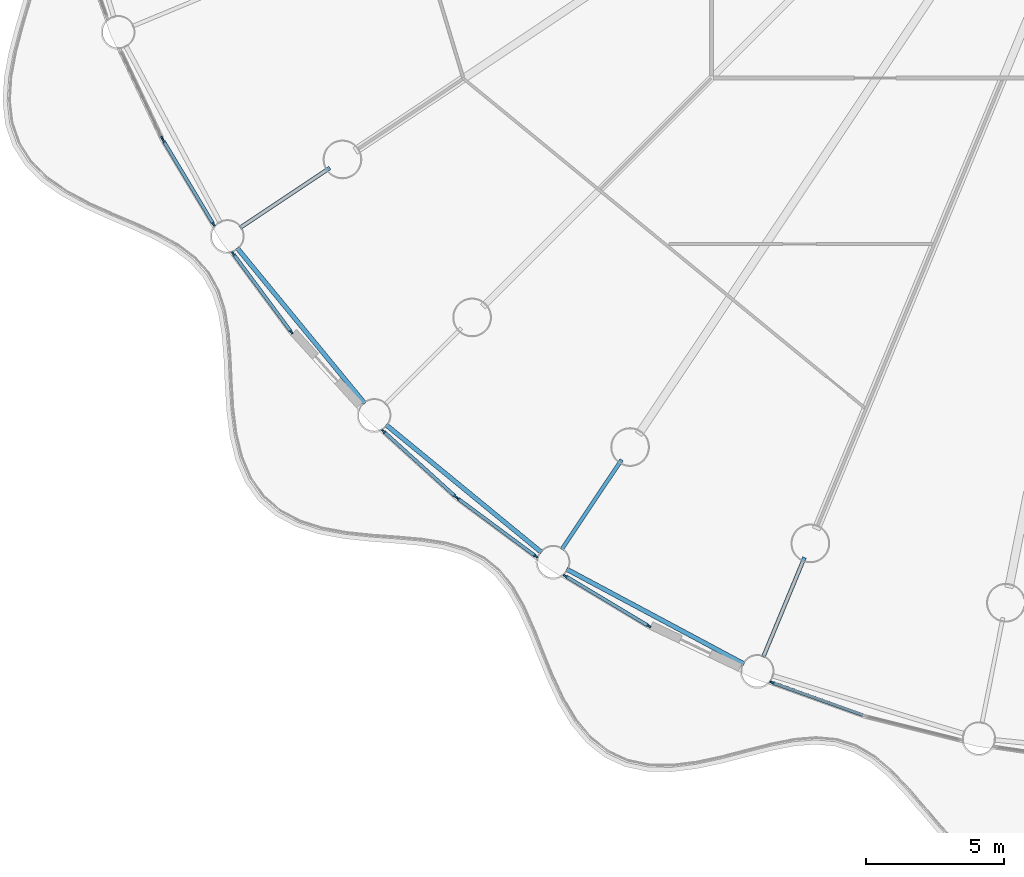
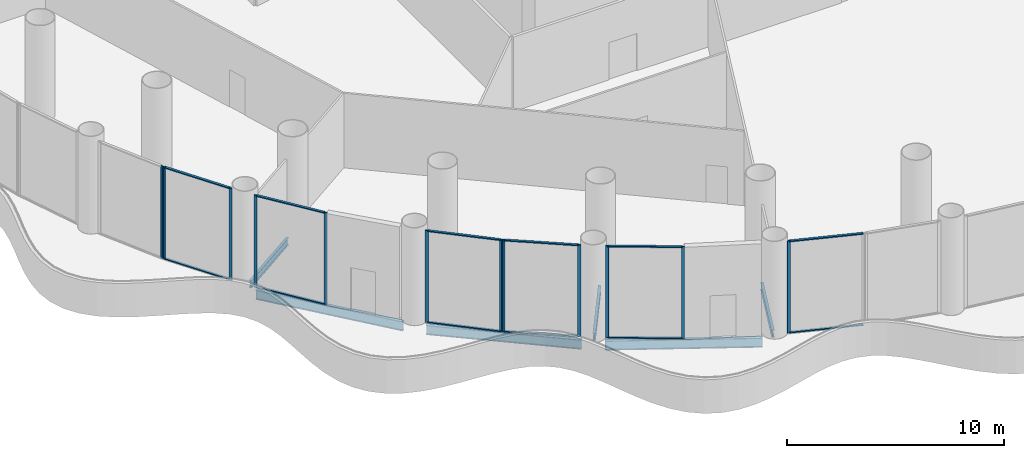
# One storey, part 2 of 37: 24 members, 6 beams, 7 elements without a shape of their own.
"""IFC4 building model written with IfcOpenShell, lengths in metres."""

from ifc_helpers import new_model, si_unit, direction, frame, origin, origin_2d, place, context, subcontext, project, spatial, rectangle, i_section, extrude, material, material_profile, profile_set, type_object, element, aggregate, save


model = new_model("IFC4")

# Units and contexts
model_context = context("Model", 3, precision=1e-05, world=origin(), true_north=direction((0.0, 1.0)))
body_context = subcontext(model_context, "Body", "Model", "MODEL_VIEW")
ifc_project = project(units=[si_unit("LENGTHUNIT", "METRE"), si_unit("AREAUNIT", "SQUARE_METRE"), si_unit("VOLUMEUNIT", "CUBIC_METRE"), si_unit("PLANEANGLEUNIT", "RADIAN"), si_unit("MASSUNIT", "GRAM", prefix="KILO")], contexts=[model_context])

# Site, building, storey
site_placement = place(None, origin())
site = spatial("IfcSite", under=ifc_project, at=site_placement, CompositionType="ELEMENT")
building_placement = place(site_placement, origin())
building = spatial("IfcBuilding", under=site, at=building_placement, Name="Corvane Civic Tower", CompositionType="ELEMENT")
storey_placement = place(building_placement, frame((0.0, 0.0, 11.5)))
storey = spatial("IfcBuildingStorey", under=building, at=storey_placement, Name="L02", CompositionType="ELEMENT", Elevation=11.5)

# Beams
ifc_material_1 = material(Name="Steel ASTM A992 Gr 50", Category="steel")
ifc_material_profile_1 = material_profile(ifc_material_1, i_section(OverallWidth=0.165771484375, OverallDepth=0.5283203125, WebThickness=0.009765625, FlangeThickness=0.013671875, at=origin_2d()), Name="W21X50")
ifc_profile_set_1 = profile_set([ifc_material_profile_1], Name="Steel ASTM A992 Gr 50")
beam_type_1 = type_object("IfcBeamType", Name="EDGE BEAM W21X50", PredefinedType="BEAM", material=ifc_profile_set_1)
for number, where, z_axis, x_axis, name in (
    (1, (-16.82568359375, -39.1904296875, -0.564208984375), (-0.881912894916, 0.471412394598, 0.0), (-0.471412394598, -0.881912894916, 0.0), "BM-L02-E19"),
    (2, (-24.14794921875, -35.15478515625, -0.564208984375), (-0.773007924807, 0.634396365205, 0.0), (-0.634396365205, -0.773007924807, 0.0), "BM-L02-E20"),
    (3, (-30.542236328125, -29.768310546875, -0.564208984375), (-0.634396365205, 0.773007924807, 0.0), (-0.773007924807, -0.634396365205, 0.0), "BM-L02-E21"),
):
    element("IfcBeam", number, at=place(storey_placement, frame(where, z_axis=z_axis, x_axis=x_axis)), inside=storey, type_object=beam_type_1, Name=name, PredefinedType="BEAM", context=body_context, shape_type="SweptSolid", body=[
        extrude(i_section(OverallWidth=0.165771484375, OverallDepth=0.5283203125, WebThickness=0.009765625, FlangeThickness=0.013671875, at=origin_2d()), origin(), (0.0, 0.0, 1.0), 7.270751953125),
    ])
ifc_material_2 = material(Name="Steel ASTM A992 Gr 50", Category="steel")
ifc_material_profile_2 = material_profile(ifc_material_2, i_section(OverallWidth=0.140380859375, OverallDepth=0.40380859375, WebThickness=0.007080078125, FlangeThickness=0.01123046875, at=origin_2d()), Name="W16X31")
ifc_profile_set_2 = profile_set([ifc_material_profile_2], Name="Steel ASTM A992 Gr 50")
beam_type_2 = type_object("IfcBeamType", Name="FLOOR GIRDER W16X31", PredefinedType="BEAM", material=ifc_profile_set_2)
for number, where, z_axis, x_axis, name in (
    (4, (-14.6376953125, -35.33837890625, -0.501953125), (-0.382685369162, -0.923878730261, 0.0), (0.923878730261, -0.382685369162, 0.0), "BM-L02-G19b"),
    (5, (-21.25048828125, -31.8037109375, -0.501953125), (-0.555581110199, -0.831462344301, 0.0), (0.831462344301, -0.555581110199, 0.0), "BM-L02-G20b"),
    (6, (-31.8037109375, -21.25048828125, -0.501953125), (-0.831462344301, -0.555581110199, 0.0), (0.555581110199, -0.831462344301, 0.0), "BM-L02-G22b"),
):
    element("IfcBeam", number, at=place(storey_placement, frame(where, z_axis=z_axis, x_axis=x_axis)), inside=storey, type_object=beam_type_2, Name=name, PredefinedType="BEAM", context=body_context, shape_type="SweptSolid", body=[
        extrude(i_section(OverallWidth=0.140380859375, OverallDepth=0.40380859375, WebThickness=0.007080078125, FlangeThickness=0.01123046875, at=origin_2d()), origin(), (0.0, 0.0, 1.0), 3.89990234375),
    ])

# Curtain wall, member
ifc_material_3 = material(Name="Aluminium and glass", Category="aluminium")
curtain_wall_type = type_object("IfcCurtainWallType", Name="PODIUM-CW-P-RUN", PredefinedType="NOTDEFINED", material=ifc_material_3)
curtain_wall_1_placement = place(storey_placement, origin())
curtain_wall_1 = element("IfcCurtainWall", 7, at=curtain_wall_1_placement, inside=storey, type_object=curtain_wall_type, Name="PODI run L02-drum-18B", PredefinedType="NOTDEFINED")
ifc_material_4 = material(Name="Anodised aluminium bronze", Category="aluminium")
ifc_material_profile_3 = material_profile(ifc_material_4, rectangle(XDim=0.06005859375, YDim=0.159912109375, at=origin_2d()), Name="AL 60x160")
ifc_profile_set_3 = profile_set([ifc_material_profile_3], Name="Anodised aluminium bronze")
member_type_1 = type_object("IfcMemberType", Name="PODIUM-CWP-MULLION-60x160", PredefinedType="MULLION", material=ifc_profile_set_3)
member_1_placement = place(storey_placement, frame((-15.81298828125, -39.861083984375, 0.0), z_axis=(0.0, 0.0, 1.0), x_axis=(-0.336918534123, -0.941533802561, 0.0)))
member_1 = element("IfcMember", 8, at=member_1_placement, type_object=member_type_1, Name="CW-P mullion 2", PredefinedType="MULLION", context=body_context, shape_type="SweptSolid", body=[
    extrude(rectangle(XDim=0.06005859375, YDim=0.159912109375, at=origin_2d()), origin(), (0.0, 0.0, 1.0), 5.199951171875),
])

# Curtain wall, members
curtain_wall_2_placement = place(storey_placement, origin())
curtain_wall_2 = element("IfcCurtainWall", 9, at=curtain_wall_2_placement, inside=storey, type_object=curtain_wall_type, Name="PODI run L02-drum-19B", PredefinedType="NOTDEFINED")
member_2_placement = place(storey_placement, frame((-20.2666015625, -37.819580078125, 0.0), z_axis=(0.0, 0.0, 1.0), x_axis=(-0.514117759857, -0.857719609779, 0.0)))
member_2 = element("IfcMember", 10, at=member_2_placement, type_object=member_type_1, Name="CW-P mullion 1", PredefinedType="MULLION", context=body_context, shape_type="SweptSolid", body=[
    extrude(rectangle(XDim=0.06005859375, YDim=0.159912109375, at=origin_2d()), origin(), (0.0, 0.0, 1.0), 5.199951171875),
])
member_3_placement = place(storey_placement, frame((-23.28564453125, -36.010009765625, 0.0), z_axis=(0.0, 0.0, 1.0), x_axis=(-0.514117759857, -0.857719609779, 0.0)))
member_3 = element("IfcMember", 11, at=member_3_placement, type_object=member_type_1, Name="CW-P mullion 2", PredefinedType="MULLION", context=body_context, shape_type="SweptSolid", body=[
    extrude(rectangle(XDim=0.06005859375, YDim=0.159912109375, at=origin_2d()), origin(), (0.0, 0.0, 1.0), 5.199951171875),
])

curtain_wall_3_placement = place(storey_placement, origin())
curtain_wall_3 = element("IfcCurtainWall", 12, at=curtain_wall_3_placement, inside=storey, type_object=curtain_wall_type, Name="PODI run L02-drum-20A", PredefinedType="NOTDEFINED")
member_4_placement = place(storey_placement, frame((-24.35791015625, -35.293701171875, 0.0), z_axis=(0.0, 0.0, 1.0), x_axis=(-0.595705104665, -0.803203229747, 0.0)))
member_4 = element("IfcMember", 13, at=member_4_placement, type_object=member_type_1, Name="CW-P mullion 1", PredefinedType="MULLION", context=body_context, shape_type="SweptSolid", body=[
    extrude(rectangle(XDim=0.06005859375, YDim=0.159912109375, at=origin_2d()), origin(), (0.0, 0.0, 1.0), 5.199951171875),
])
member_5_placement = place(storey_placement, frame((-27.18505859375, -33.197021484375, 0.0), z_axis=(0.0, 0.0, 1.0), x_axis=(-0.595705104665, -0.803203229747, 0.0)))
member_5 = element("IfcMember", 14, at=member_5_placement, type_object=member_type_1, Name="CW-P mullion 2", PredefinedType="MULLION", context=body_context, shape_type="SweptSolid", body=[
    extrude(rectangle(XDim=0.06005859375, YDim=0.159912109375, at=origin_2d()), origin(), (0.0, 0.0, 1.0), 5.199951171875),
])

curtain_wall_4_placement = place(storey_placement, origin())
curtain_wall_4 = element("IfcCurtainWall", 15, at=curtain_wall_4_placement, inside=storey, type_object=curtain_wall_type, Name="PODI run L02-drum-20B", PredefinedType="NOTDEFINED")
member_6_placement = place(storey_placement, frame((-27.25537109375, -33.13916015625, 0.0), z_axis=(0.0, 0.0, 1.0), x_axis=(-0.671576457952, -0.740935261089, 0.0)))
member_6 = element("IfcMember", 16, at=member_6_placement, type_object=member_type_1, Name="CW-P mullion 1", PredefinedType="MULLION", context=body_context, shape_type="SweptSolid", body=[
    extrude(rectangle(XDim=0.06005859375, YDim=0.159912109375, at=origin_2d()), origin(), (0.0, 0.0, 1.0), 5.199951171875),
])
member_7_placement = place(storey_placement, frame((-29.863525390625, -30.775390625, 0.0), z_axis=(0.0, 0.0, 1.0), x_axis=(-0.671576457952, -0.740935261089, 0.0)))
member_7 = element("IfcMember", 17, at=member_7_placement, type_object=member_type_1, Name="CW-P mullion 2", PredefinedType="MULLION", context=body_context, shape_type="SweptSolid", body=[
    extrude(rectangle(XDim=0.06005859375, YDim=0.159912109375, at=origin_2d()), origin(), (0.0, 0.0, 1.0), 5.199951171875),
])

curtain_wall_5_placement = place(storey_placement, origin())
curtain_wall_5 = element("IfcCurtainWall", 18, at=curtain_wall_5_placement, inside=storey, type_object=curtain_wall_type, Name="PODI run L02-drum-21B", PredefinedType="NOTDEFINED")
member_8_placement = place(storey_placement, frame((-33.197021484375, -27.18505859375, 0.0), z_axis=(0.0, 0.0, 1.0), x_axis=(-0.803203229747, -0.595705104665, 0.0)))
member_8 = element("IfcMember", 19, at=member_8_placement, type_object=member_type_1, Name="CW-P mullion 1", PredefinedType="MULLION", context=body_context, shape_type="SweptSolid", body=[
    extrude(rectangle(XDim=0.06005859375, YDim=0.159912109375, at=origin_2d()), origin(), (0.0, 0.0, 1.0), 5.199951171875),
])
member_9_placement = place(storey_placement, frame((-35.293701171875, -24.35791015625, 0.0), z_axis=(0.0, 0.0, 1.0), x_axis=(-0.803203229747, -0.595705104665, 0.0)))
member_9 = element("IfcMember", 20, at=member_9_placement, type_object=member_type_1, Name="CW-P mullion 2", PredefinedType="MULLION", context=body_context, shape_type="SweptSolid", body=[
    extrude(rectangle(XDim=0.06005859375, YDim=0.159912109375, at=origin_2d()), origin(), (0.0, 0.0, 1.0), 5.199951171875),
])

curtain_wall_6_placement = place(storey_placement, origin())
curtain_wall_6 = element("IfcCurtainWall", 21, at=curtain_wall_6_placement, inside=storey, type_object=curtain_wall_type, Name="PODI run L02-drum-22A", PredefinedType="NOTDEFINED")
member_10_placement = place(storey_placement, frame((-36.010009765625, -23.28564453125, 0.0), z_axis=(0.0, 0.0, 1.0), x_axis=(-0.857719609779, -0.514117759857, 0.0)))
member_10 = element("IfcMember", 22, at=member_10_placement, type_object=member_type_1, Name="CW-P mullion 1", PredefinedType="MULLION", context=body_context, shape_type="SweptSolid", body=[
    extrude(rectangle(XDim=0.06005859375, YDim=0.159912109375, at=origin_2d()), origin(), (0.0, 0.0, 1.0), 5.199951171875),
])
member_11_placement = place(storey_placement, frame((-37.819580078125, -20.2666015625, 0.0), z_axis=(0.0, 0.0, 1.0), x_axis=(-0.857719609779, -0.514117759857, 0.0)))
member_11 = element("IfcMember", 23, at=member_11_placement, type_object=member_type_1, Name="CW-P mullion 2", PredefinedType="MULLION", context=body_context, shape_type="SweptSolid", body=[
    extrude(rectangle(XDim=0.06005859375, YDim=0.159912109375, at=origin_2d()), origin(), (0.0, 0.0, 1.0), 5.199951171875),
])

# Curtain wall, member
curtain_wall_7_placement = place(storey_placement, origin())
curtain_wall_7 = element("IfcCurtainWall", 24, at=curtain_wall_7_placement, inside=storey, type_object=curtain_wall_type, Name="PODI run L02-drum-22B", PredefinedType="NOTDEFINED")
member_12_placement = place(storey_placement, frame((-37.862548828125, -20.186279296875, 0.0), z_axis=(0.0, 0.0, 1.0), x_axis=(-0.903990222454, -0.42755312852, 0.0)))
member_12 = element("IfcMember", 25, at=member_12_placement, type_object=member_type_1, Name="CW-P mullion 1", PredefinedType="MULLION", context=body_context, shape_type="SweptSolid", body=[
    extrude(rectangle(XDim=0.06005859375, YDim=0.159912109375, at=origin_2d()), origin(), (0.0, 0.0, 1.0), 5.199951171875),
])
aggregate(curtain_wall_7, [member_12])

# Member
ifc_material_5 = material(Name="Anodised aluminium bronze", Category="aluminium")
ifc_material_profile_4 = material_profile(ifc_material_5, rectangle(XDim=0.1201171875, YDim=0.06005859375, at=origin_2d()), Name="AL 120x60")
ifc_profile_set_4 = profile_set([ifc_material_profile_4], Name="Anodised aluminium bronze")
member_type_2 = type_object("IfcMemberType", Name="PODIUM-CWP-TRANSOM-60x120", PredefinedType="USERDEFINED", material=ifc_profile_set_4)
member_13_placement = place(storey_placement, frame((-12.527099609375, -41.036865234375, 0.030029296875), z_axis=(-0.941526196838, 0.336939787896, 0.0), x_axis=(-0.336939787896, -0.941526196838, 0.0)))
member_13 = element("IfcMember", 26, at=member_13_placement, type_object=member_type_2, Name="CW-P transom 1.1", ObjectType="TRANSOM", PredefinedType="USERDEFINED", context=body_context, shape_type="SweptSolid", body=[
    extrude(rectangle(XDim=0.1201171875, YDim=0.06005859375, at=origin_2d()), origin(), (0.0, 0.0, 1.0), 3.4599609375),
])

member_14_placement = place(storey_placement, frame((-12.527099609375, -41.036865234375, 5.169921875), z_axis=(-0.941526196838, 0.336939787896, 0.0), x_axis=(-0.336939787896, -0.941526196838, 0.0)))
member_14 = element("IfcMember", 27, at=member_14_placement, type_object=member_type_2, Name="CW-P transom 1.2", ObjectType="TRANSOM", PredefinedType="USERDEFINED", context=body_context, shape_type="SweptSolid", body=[
    extrude(rectangle(XDim=0.1201171875, YDim=0.06005859375, at=origin_2d()), origin(), (0.0, 0.0, 1.0), 3.4599609375),
])

aggregate(curtain_wall_1, [member_1, member_13, member_14])

member_15_placement = place(storey_placement, frame((-20.29248046875, -37.80419921875, 0.030029296875), z_axis=(-0.857723234181, 0.514111713099, 0.0), x_axis=(-0.514111713099, -0.857723234181, 0.0)))
member_15 = element("IfcMember", 28, at=member_15_placement, type_object=member_type_2, Name="CW-P transom 1.1", ObjectType="TRANSOM", PredefinedType="USERDEFINED", context=body_context, shape_type="SweptSolid", body=[
    extrude(rectangle(XDim=0.1201171875, YDim=0.06005859375, at=origin_2d()), origin(), (0.0, 0.0, 1.0), 3.45947265625),
])

member_16_placement = place(storey_placement, frame((-20.29248046875, -37.80419921875, 5.169921875), z_axis=(-0.857723234181, 0.514111713099, 0.0), x_axis=(-0.514111713099, -0.857723234181, 0.0)))
member_16 = element("IfcMember", 29, at=member_16_placement, type_object=member_type_2, Name="CW-P transom 1.2", ObjectType="TRANSOM", PredefinedType="USERDEFINED", context=body_context, shape_type="SweptSolid", body=[
    extrude(rectangle(XDim=0.1201171875, YDim=0.06005859375, at=origin_2d()), origin(), (0.0, 0.0, 1.0), 3.45947265625),
])

aggregate(curtain_wall_2, [member_2, member_3, member_15, member_16])

member_17_placement = place(storey_placement, frame((-24.382080078125, -35.27587890625, 0.030029296875), z_axis=(-0.803189518598, 0.595723591285, 0.0), x_axis=(-0.595723591285, -0.803189518598, 0.0)))
member_17 = element("IfcMember", 30, at=member_17_placement, type_object=member_type_2, Name="CW-P transom 1.1", ObjectType="TRANSOM", PredefinedType="USERDEFINED", context=body_context, shape_type="SweptSolid", body=[
    extrude(rectangle(XDim=0.1201171875, YDim=0.06005859375, at=origin_2d()), origin(), (0.0, 0.0, 1.0), 3.459716796875),
])

member_18_placement = place(storey_placement, frame((-24.382080078125, -35.27587890625, 5.169921875), z_axis=(-0.803189518598, 0.595723591285, 0.0), x_axis=(-0.595723591285, -0.803189518598, 0.0)))
member_18 = element("IfcMember", 31, at=member_18_placement, type_object=member_type_2, Name="CW-P transom 1.2", ObjectType="TRANSOM", PredefinedType="USERDEFINED", context=body_context, shape_type="SweptSolid", body=[
    extrude(rectangle(XDim=0.1201171875, YDim=0.06005859375, at=origin_2d()), origin(), (0.0, 0.0, 1.0), 3.459716796875),
])

aggregate(curtain_wall_3, [member_4, member_5, member_17, member_18])

member_19_placement = place(storey_placement, frame((-27.277587890625, -33.119140625, 0.030029296875), z_axis=(-0.740935382865, 0.671576323599, 0.0), x_axis=(-0.671576323599, -0.740935382865, 0.0)))
member_19 = element("IfcMember", 32, at=member_19_placement, type_object=member_type_2, Name="CW-P transom 1.1", ObjectType="TRANSOM", PredefinedType="USERDEFINED", context=body_context, shape_type="SweptSolid", body=[
    extrude(rectangle(XDim=0.1201171875, YDim=0.06005859375, at=origin_2d()), origin(), (0.0, 0.0, 1.0), 3.460205078125),
])

member_20_placement = place(storey_placement, frame((-27.277587890625, -33.119140625, 5.169921875), z_axis=(-0.740935382865, 0.671576323599, 0.0), x_axis=(-0.671576323599, -0.740935382865, 0.0)))
member_20 = element("IfcMember", 33, at=member_20_placement, type_object=member_type_2, Name="CW-P transom 1.2", ObjectType="TRANSOM", PredefinedType="USERDEFINED", context=body_context, shape_type="SweptSolid", body=[
    extrude(rectangle(XDim=0.1201171875, YDim=0.06005859375, at=origin_2d()), origin(), (0.0, 0.0, 1.0), 3.460205078125),
])

aggregate(curtain_wall_4, [member_6, member_7, member_19, member_20])

member_21_placement = place(storey_placement, frame((-33.21484375, -27.160888671875, 0.030029296875), z_axis=(-0.595723591285, 0.803189518598, 0.0), x_axis=(-0.803189518598, -0.595723591285, 0.0)))
member_21 = element("IfcMember", 34, at=member_21_placement, type_object=member_type_2, Name="CW-P transom 1.1", ObjectType="TRANSOM", PredefinedType="USERDEFINED", context=body_context, shape_type="SweptSolid", body=[
    extrude(rectangle(XDim=0.1201171875, YDim=0.06005859375, at=origin_2d()), origin(), (0.0, 0.0, 1.0), 3.459716796875),
])

member_22_placement = place(storey_placement, frame((-33.21484375, -27.160888671875, 5.169921875), z_axis=(-0.595723591285, 0.803189518598, 0.0), x_axis=(-0.803189518598, -0.595723591285, 0.0)))
member_22 = element("IfcMember", 35, at=member_22_placement, type_object=member_type_2, Name="CW-P transom 1.2", ObjectType="TRANSOM", PredefinedType="USERDEFINED", context=body_context, shape_type="SweptSolid", body=[
    extrude(rectangle(XDim=0.1201171875, YDim=0.06005859375, at=origin_2d()), origin(), (0.0, 0.0, 1.0), 3.459716796875),
])

aggregate(curtain_wall_5, [member_8, member_9, member_21, member_22])

member_23_placement = place(storey_placement, frame((-36.025634765625, -23.259765625, 0.030029296875), z_axis=(-0.514111713099, 0.857723234181, 0.0), x_axis=(-0.857723234181, -0.514111713099, 0.0)))
member_23 = element("IfcMember", 36, at=member_23_placement, type_object=member_type_2, Name="CW-P transom 1.1", ObjectType="TRANSOM", PredefinedType="USERDEFINED", context=body_context, shape_type="SweptSolid", body=[
    extrude(rectangle(XDim=0.1201171875, YDim=0.06005859375, at=origin_2d()), origin(), (0.0, 0.0, 1.0), 3.45947265625),
])

member_24_placement = place(storey_placement, frame((-36.025634765625, -23.259765625, 5.169921875), z_axis=(-0.514111713099, 0.857723234181, 0.0), x_axis=(-0.857723234181, -0.514111713099, 0.0)))
member_24 = element("IfcMember", 37, at=member_24_placement, type_object=member_type_2, Name="CW-P transom 1.2", ObjectType="TRANSOM", PredefinedType="USERDEFINED", context=body_context, shape_type="SweptSolid", body=[
    extrude(rectangle(XDim=0.1201171875, YDim=0.06005859375, at=origin_2d()), origin(), (0.0, 0.0, 1.0), 3.45947265625),
])

aggregate(curtain_wall_6, [member_10, member_11, member_23, member_24])

save(model, "model.ifc")
